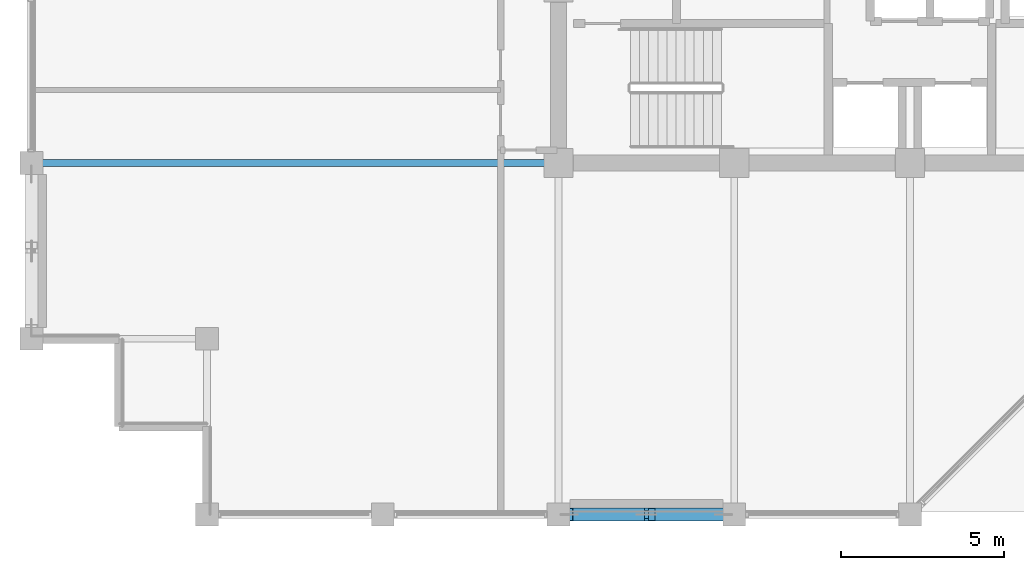
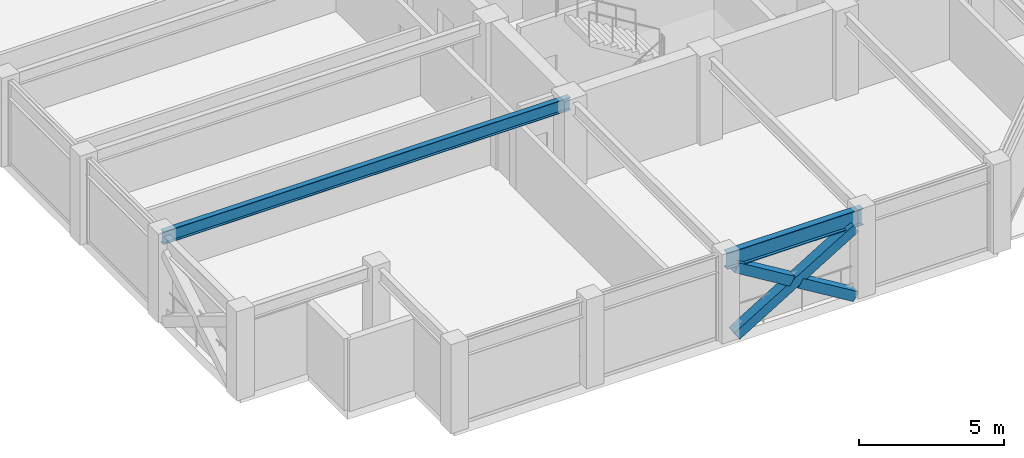
# One storey, part 5 of 34: 3 members, 2 beams.
"""IFC4 building model written with IfcOpenShell, lengths in metres."""

from ifc_helpers import new_model, si_unit, direction, frame, origin, origin_2d, place, context, subcontext, project, spatial, hollow_rectangle, i_section, extrude, material, material_profile, profile_set, type_object, element, save


model = new_model("IFC4")

# Units and contexts
model_context = context("Model", 3, precision=1e-05, world=origin(), true_north=direction((0.0, 1.0)))
body_context = subcontext(model_context, "Body", "Model", "MODEL_VIEW")
ifc_project = project(units=[si_unit("LENGTHUNIT", "METRE"), si_unit("AREAUNIT", "SQUARE_METRE"), si_unit("VOLUMEUNIT", "CUBIC_METRE"), si_unit("PLANEANGLEUNIT", "RADIAN"), si_unit("MASSUNIT", "GRAM", prefix="KILO")], contexts=[model_context])

# Site, building, storey
site_placement = place(None, origin())
site = spatial("IfcSite", under=ifc_project, at=site_placement, CompositionType="ELEMENT")
building_placement = place(site_placement, origin())
building = spatial("IfcBuilding", under=site, at=building_placement, Name="Surkhivell Harbour Commons", CompositionType="ELEMENT")
storey_placement = place(building_placement, frame((0.0, 0.0, 258.75)))
storey = spatial("IfcBuildingStorey", under=building, at=storey_placement, Name="L67", CompositionType="ELEMENT", Elevation=258.75)

# Beams
ifc_material_1 = material(Name="Steel S355", Category="steel")
ifc_material_profile_1 = material_profile(ifc_material_1, i_section(OverallWidth=0.2099609375, OverallDepth=0.537109375, WebThickness=0.0107421875, FlangeThickness=0.017333984375, at=origin_2d()), Name="UB533x210x101")
ifc_profile_set_1 = profile_set([ifc_material_profile_1], Name="Steel S355")
beam_type_1 = type_object("IfcBeamType", Name="BM-GRD-533B", PredefinedType="BEAM", material=ifc_profile_set_1)
beam_1_placement = place(storey_placement, frame((-27.0, -10.800048828125, 3.301513671875), z_axis=(1.0, 0.0, 0.0), x_axis=(0.0, 1.0, 0.0)))
element("IfcBeam", 1, at=beam_1_placement, inside=storey, type_object=beam_type_1, Name="L67 Floor Girder (-27.0,-10.8)", PredefinedType="BEAM", context=body_context, shape_type="SweptSolid", body=[
    extrude(i_section(OverallWidth=0.2099609375, OverallDepth=0.537109375, WebThickness=0.0107421875, FlangeThickness=0.017333984375, at=origin_2d()), origin(), (0.0, 0.0, 1.0), 16.199951171875),
])
ifc_material_profile_2 = material_profile(ifc_material_1, i_section(OverallWidth=0.256103515625, OverallDepth=0.693115234375, WebThickness=0.014404296875, FlangeThickness=0.023681640625, at=origin_2d()), Name="UB686x254x170")
ifc_profile_set_2 = profile_set([ifc_material_profile_2], Name="Steel S355")
beam_type_2 = type_object("IfcBeamType", Name="BM-SPN-686", PredefinedType="SPANDREL", material=ifc_profile_set_2)
beam_2_placement = place(storey_placement, frame((-10.800048828125, -21.60009765625, 3.223388671875), z_axis=(1.0, 0.0, 0.0), x_axis=(0.0, 1.0, 0.0)))
element("IfcBeam", 2, at=beam_2_placement, inside=storey, type_object=beam_type_2, Name="L67 Tube Spandrel (-10.8,-21.6)", PredefinedType="SPANDREL", context=body_context, shape_type="SweptSolid", body=[
    extrude(i_section(OverallWidth=0.256103515625, OverallDepth=0.693115234375, WebThickness=0.014404296875, FlangeThickness=0.023681640625, at=origin_2d()), origin(), (0.0, 0.0, 1.0), 5.400146484375),
])

# Members
ifc_material_2 = material(Name="Steel S460", Category="steel")
ifc_material_profile_3 = material_profile(ifc_material_2, hollow_rectangle(XDim=0.39990234375, YDim=0.39990234375, WallThickness=0.02001953125, at=origin_2d()), Name="SHS400x400x20")
ifc_profile_set_3 = profile_set([ifc_material_profile_3], Name="Steel S460")
member_type = type_object("IfcMemberType", Name="MEM-BRC-SHS400", PredefinedType="BRACE", material=ifc_profile_set_3)
member_1_placement = place(storey_placement, frame((-10.465087890625, -21.60009765625, 0.008056640625), z_axis=(0.854685454322, 0.0, 0.519146197299), x_axis=(0.0, 1.0, 0.0)))
element("IfcMember", 3, at=member_1_placement, inside=storey, type_object=member_type, Name="L67 Perimeter Mega-Brace MB- 07", PredefinedType="BRACE", context=body_context, shape_type="SweptSolid", body=[
    extrude(hollow_rectangle(XDim=0.39990234375, YDim=0.39990234375, WallThickness=0.02001953125, at=origin_2d()), origin(), (0.0, 0.0, 1.0), 5.5341796875),
])
member_2_placement = place(storey_placement, frame((-5.735107421875, -21.60009765625, 0.008056640625), z_axis=(-0.854694361898, 0.0, 0.519131532215), x_axis=(0.0, -1.0, 0.0)))
element("IfcMember", 4, at=member_2_placement, inside=storey, type_object=member_type, Name="L67 Perimeter Mega-Brace MB- 08", PredefinedType="BRACE", context=body_context, shape_type="SweptSolid", body=[
    extrude(hollow_rectangle(XDim=0.39990234375, YDim=0.39990234375, WallThickness=0.02001953125, at=origin_2d()), origin(), (0.0, 0.0, 1.0), 2.57470703125),
])
member_3_placement = place(storey_placement, frame((-8.26416015625, -21.60009765625, 1.544189453125), z_axis=(-0.854677846108, 0.0, 0.519158722716), x_axis=(0.0, -1.0, 0.0)))
element("IfcMember", 5, at=member_3_placement, inside=storey, type_object=member_type, Name="L67 Perimeter Mega-Brace MB- 09", PredefinedType="BRACE", context=body_context, shape_type="SweptSolid", body=[
    extrude(hollow_rectangle(XDim=0.39990234375, YDim=0.39990234375, WallThickness=0.02001953125, at=origin_2d()), origin(), (0.0, 0.0, 1.0), 2.5751953125),
])

save(model, "model.ifc")
